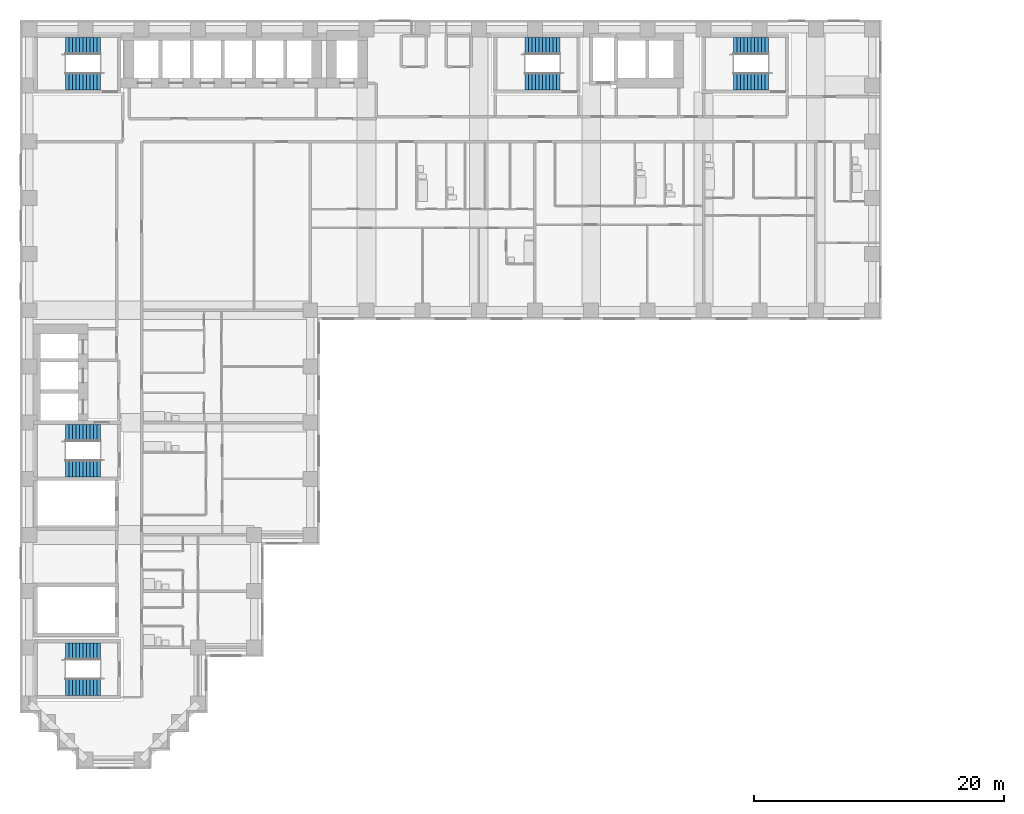
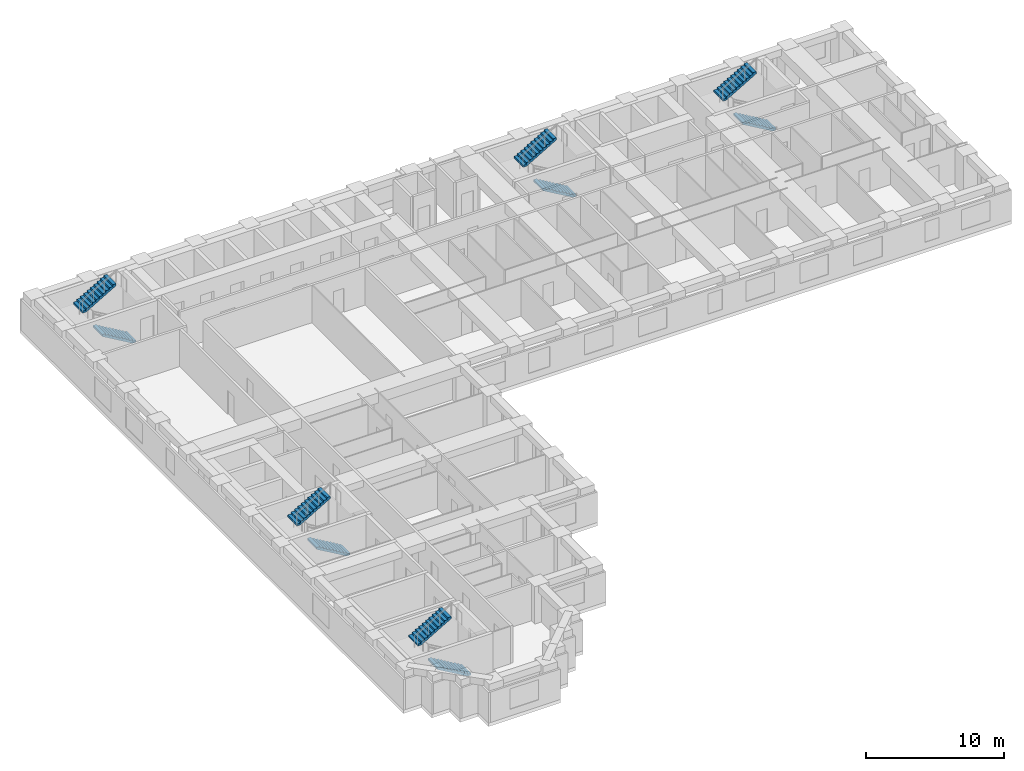
# One storey, part 10 of 12: 10 stair flights, 5 elements without a shape of their own.
"""IFC4 building model written with IfcOpenShell, lengths in metres."""

from ifc_helpers import new_model, si_unit, direction, frame, origin, place, context, subcontext, project, spatial, polyline, outline, extrude, material, type_object, element, aggregate, save


model = new_model("IFC4")

# Units and contexts
model_context = context("Model", 3, precision=1e-05, world=origin(), true_north=direction((0.0, 1.0)))
body_context = subcontext(model_context, "Body", "Model", "MODEL_VIEW")
ifc_project = project(units=[si_unit("LENGTHUNIT", "METRE"), si_unit("AREAUNIT", "SQUARE_METRE"), si_unit("VOLUMEUNIT", "CUBIC_METRE"), si_unit("PLANEANGLEUNIT", "RADIAN"), si_unit("MASSUNIT", "GRAM", prefix="KILO")], contexts=[model_context])

# Site, building, storey
site_placement = place(None, origin())
site = spatial("IfcSite", under=ifc_project, at=site_placement, CompositionType="ELEMENT")
building_placement = place(site_placement, origin())
building = spatial("IfcBuilding", under=site, at=building_placement, Name="Firuza Court", CompositionType="ELEMENT")
storey_placement = place(building_placement, frame((0.0, 0.0, 36.199951171875)))
storey = spatial("IfcBuildingStorey", under=building, at=storey_placement, Name="L07", CompositionType="ELEMENT", Elevation=36.199951171875)

# Stair, stair flights
ifc_material_1 = material(Name="Concrete C40/50 precast", Category="concrete")
stair_type = type_object("IfcStairType", Name="Stair 1350 x 3600 2 flights", PredefinedType="HALF_TURN_STAIR", material=ifc_material_1)
stair_1_placement = place(storey_placement, origin())
stair_1 = element("IfcStair", 1, at=stair_1_placement, inside=storey, type_object=stair_type, Name="Stair 1 L07", PredefinedType="HALF_TURN_STAIR")
ifc_material_2 = material(Name="Concrete C40/50 precast", Category="concrete")
stair_flight_type = type_object("IfcStairFlightType", Name="Flight 1350 riser 163.6", PredefinedType="STRAIGHT", material=ifc_material_2)
stair_flight_1_placement = place(storey_placement, frame((42.5, 54.324951171875, 0.0), z_axis=(0.0, 0.0, 1.0), x_axis=(-1.0, 0.0, 0.0)))
stair_flight_1 = element("IfcStairFlight", 2, at=stair_flight_1_placement, type_object=stair_flight_type, Name="S1 flight 1", NumberOfRisers=11, NumberOfTreads=10, PredefinedType="STRAIGHT", RiserHeight=0.163636364, TreadLength=0.28, context=body_context, shape_type="SweptSolid", body=[
    extrude(outline(polyline([(0.0, 0.0), (0.0, 0.16357421875), (0.280029296875, 0.16357421875), (0.280029296875, 0.327392578125), (0.56005859375, 0.327392578125), (0.56005859375, 0.490966796875), (0.840087890625, 0.490966796875), (0.840087890625, 0.654541015625), (1.1201171875, 0.654541015625), (1.1201171875, 0.818115234375), (1.39990234375, 0.818115234375), (1.39990234375, 0.98193359375), (1.679931640625, 0.98193359375), (1.679931640625, 1.1455078125), (1.9599609375, 1.1455078125), (1.9599609375, 1.30908203125), (2.239990234375, 1.30908203125), (2.239990234375, 1.47265625), (2.52001953125, 1.47265625), (2.52001953125, 1.636474609375), (2.800048828125, 1.636474609375), (2.800048828125, 1.800048828125), (2.800048828125, 1.462646484375), (0.297119140625, 0.0), (0.0, 0.0)])), frame((0.0, 0.675048828125, 0.0), z_axis=(0.0, -1.0, 0.0), x_axis=(1.0, 0.0, 0.0)), (0.0, 0.0, 1.0), 1.35009765625),
])
stair_flight_2_placement = place(storey_placement, frame((39.699951171875, 57.175048828125, 1.800048828125), z_axis=(0.0, 0.0, 1.0), x_axis=(1.0, 0.0, 0.0)))
stair_flight_2 = element("IfcStairFlight", 3, at=stair_flight_2_placement, type_object=stair_flight_type, Name="S1 flight 2", NumberOfRisers=11, NumberOfTreads=10, PredefinedType="STRAIGHT", RiserHeight=0.163636364, TreadLength=0.28, context=body_context, shape_type="SweptSolid", body=[
    extrude(outline(polyline([(0.0, 0.0), (0.0, 0.16357421875), (0.280029296875, 0.16357421875), (0.280029296875, 0.327392578125), (0.56005859375, 0.327392578125), (0.56005859375, 0.490966796875), (0.840087890625, 0.490966796875), (0.840087890625, 0.654541015625), (1.1201171875, 0.654541015625), (1.1201171875, 0.818115234375), (1.39990234375, 0.818115234375), (1.39990234375, 0.98193359375), (1.679931640625, 0.98193359375), (1.679931640625, 1.1455078125), (1.9599609375, 1.1455078125), (1.9599609375, 1.30908203125), (2.239990234375, 1.30908203125), (2.239990234375, 1.47265625), (2.52001953125, 1.47265625), (2.52001953125, 1.636474609375), (2.800048828125, 1.636474609375), (2.800048828125, 1.800048828125), (2.800048828125, 1.462646484375), (0.297119140625, 0.0), (0.0, 0.0)])), frame((0.0, 0.675048828125, 0.0), z_axis=(0.0, -1.0, 0.0), x_axis=(1.0, 0.0, 0.0)), (0.0, 0.0, 1.0), 1.35009765625),
])
aggregate(stair_1, [stair_flight_1, stair_flight_2])

stair_2_placement = place(storey_placement, origin())
stair_2 = element("IfcStair", 4, at=stair_2_placement, inside=storey, type_object=stair_type, Name="Stair 2 L07", PredefinedType="HALF_TURN_STAIR")
stair_flight_3_placement = place(storey_placement, frame((5.699951171875, 23.324951171875, 0.0), z_axis=(0.0, 0.0, 1.0), x_axis=(-1.0, 0.0, 0.0)))
stair_flight_3 = element("IfcStairFlight", 5, at=stair_flight_3_placement, type_object=stair_flight_type, Name="S2 flight 1", NumberOfRisers=11, NumberOfTreads=10, PredefinedType="STRAIGHT", RiserHeight=0.163636364, TreadLength=0.28, context=body_context, shape_type="SweptSolid", body=[
    extrude(outline(polyline([(0.0, 0.0), (0.0, 0.16357421875), (0.280029296875, 0.16357421875), (0.280029296875, 0.327392578125), (0.56005859375, 0.327392578125), (0.56005859375, 0.490966796875), (0.840087890625, 0.490966796875), (0.840087890625, 0.654541015625), (1.1201171875, 0.654541015625), (1.1201171875, 0.818115234375), (1.39990234375, 0.818115234375), (1.39990234375, 0.98193359375), (1.679931640625, 0.98193359375), (1.679931640625, 1.1455078125), (1.9599609375, 1.1455078125), (1.9599609375, 1.30908203125), (2.239990234375, 1.30908203125), (2.239990234375, 1.47265625), (2.52001953125, 1.47265625), (2.52001953125, 1.636474609375), (2.800048828125, 1.636474609375), (2.800048828125, 1.800048828125), (2.800048828125, 1.462646484375), (0.297119140625, 0.0), (0.0, 0.0)])), frame((0.0, 0.675048828125, 0.0), z_axis=(0.0, -1.0, 0.0), x_axis=(1.0, 0.0, 0.0)), (0.0, 0.0, 1.0), 1.35009765625),
])
stair_flight_4_placement = place(storey_placement, frame((2.89990234375, 26.175048828125, 1.800048828125), z_axis=(0.0, 0.0, 1.0), x_axis=(1.0, 0.0, 0.0)))
stair_flight_4 = element("IfcStairFlight", 6, at=stair_flight_4_placement, type_object=stair_flight_type, Name="S2 flight 2", NumberOfRisers=11, NumberOfTreads=10, PredefinedType="STRAIGHT", RiserHeight=0.163636364, TreadLength=0.28, context=body_context, shape_type="SweptSolid", body=[
    extrude(outline(polyline([(0.0, 0.0), (0.0, 0.16357421875), (0.280029296875, 0.16357421875), (0.280029296875, 0.327392578125), (0.56005859375, 0.327392578125), (0.56005859375, 0.490966796875), (0.840087890625, 0.490966796875), (0.840087890625, 0.654541015625), (1.1201171875, 0.654541015625), (1.1201171875, 0.818115234375), (1.39990234375, 0.818115234375), (1.39990234375, 0.98193359375), (1.679931640625, 0.98193359375), (1.679931640625, 1.1455078125), (1.9599609375, 1.1455078125), (1.9599609375, 1.30908203125), (2.239990234375, 1.30908203125), (2.239990234375, 1.47265625), (2.52001953125, 1.47265625), (2.52001953125, 1.636474609375), (2.800048828125, 1.636474609375), (2.800048828125, 1.800048828125), (2.800048828125, 1.462646484375), (0.297119140625, 0.0), (0.0, 0.0)])), frame((0.0, 0.675048828125, 0.0), z_axis=(0.0, -1.0, 0.0), x_axis=(1.0, 0.0, 0.0)), (0.0, 0.0, 1.0), 1.35009765625),
])
aggregate(stair_2, [stair_flight_3, stair_flight_4])

stair_3_placement = place(storey_placement, origin())
stair_3 = element("IfcStair", 7, at=stair_3_placement, inside=storey, type_object=stair_type, Name="Stair 3 L07", PredefinedType="HALF_TURN_STAIR")
stair_flight_5_placement = place(storey_placement, frame((5.699951171875, 54.324951171875, 0.0), z_axis=(0.0, 0.0, 1.0), x_axis=(-1.0, 0.0, 0.0)))
stair_flight_5 = element("IfcStairFlight", 8, at=stair_flight_5_placement, type_object=stair_flight_type, Name="S3 flight 1", NumberOfRisers=11, NumberOfTreads=10, PredefinedType="STRAIGHT", RiserHeight=0.163636364, TreadLength=0.28, context=body_context, shape_type="SweptSolid", body=[
    extrude(outline(polyline([(0.0, 0.0), (0.0, 0.16357421875), (0.280029296875, 0.16357421875), (0.280029296875, 0.327392578125), (0.56005859375, 0.327392578125), (0.56005859375, 0.490966796875), (0.840087890625, 0.490966796875), (0.840087890625, 0.654541015625), (1.1201171875, 0.654541015625), (1.1201171875, 0.818115234375), (1.39990234375, 0.818115234375), (1.39990234375, 0.98193359375), (1.679931640625, 0.98193359375), (1.679931640625, 1.1455078125), (1.9599609375, 1.1455078125), (1.9599609375, 1.30908203125), (2.239990234375, 1.30908203125), (2.239990234375, 1.47265625), (2.52001953125, 1.47265625), (2.52001953125, 1.636474609375), (2.800048828125, 1.636474609375), (2.800048828125, 1.800048828125), (2.800048828125, 1.462646484375), (0.297119140625, 0.0), (0.0, 0.0)])), frame((0.0, 0.675048828125, 0.0), z_axis=(0.0, -1.0, 0.0), x_axis=(1.0, 0.0, 0.0)), (0.0, 0.0, 1.0), 1.35009765625),
])
stair_flight_6_placement = place(storey_placement, frame((2.89990234375, 57.175048828125, 1.800048828125), z_axis=(0.0, 0.0, 1.0), x_axis=(1.0, 0.0, 0.0)))
stair_flight_6 = element("IfcStairFlight", 9, at=stair_flight_6_placement, type_object=stair_flight_type, Name="S3 flight 2", NumberOfRisers=11, NumberOfTreads=10, PredefinedType="STRAIGHT", RiserHeight=0.163636364, TreadLength=0.28, context=body_context, shape_type="SweptSolid", body=[
    extrude(outline(polyline([(0.0, 0.0), (0.0, 0.16357421875), (0.280029296875, 0.16357421875), (0.280029296875, 0.327392578125), (0.56005859375, 0.327392578125), (0.56005859375, 0.490966796875), (0.840087890625, 0.490966796875), (0.840087890625, 0.654541015625), (1.1201171875, 0.654541015625), (1.1201171875, 0.818115234375), (1.39990234375, 0.818115234375), (1.39990234375, 0.98193359375), (1.679931640625, 0.98193359375), (1.679931640625, 1.1455078125), (1.9599609375, 1.1455078125), (1.9599609375, 1.30908203125), (2.239990234375, 1.30908203125), (2.239990234375, 1.47265625), (2.52001953125, 1.47265625), (2.52001953125, 1.636474609375), (2.800048828125, 1.636474609375), (2.800048828125, 1.800048828125), (2.800048828125, 1.462646484375), (0.297119140625, 0.0), (0.0, 0.0)])), frame((0.0, 0.675048828125, 0.0), z_axis=(0.0, -1.0, 0.0), x_axis=(1.0, 0.0, 0.0)), (0.0, 0.0, 1.0), 1.35009765625),
])
aggregate(stair_3, [stair_flight_5, stair_flight_6])

stair_4_placement = place(storey_placement, origin())
stair_4 = element("IfcStair", 10, at=stair_4_placement, inside=storey, type_object=stair_type, Name="Stair 4 L07", PredefinedType="HALF_TURN_STAIR")
stair_flight_7_placement = place(storey_placement, frame((59.199951171875, 54.324951171875, 0.0), z_axis=(0.0, 0.0, 1.0), x_axis=(-1.0, 0.0, 0.0)))
stair_flight_7 = element("IfcStairFlight", 11, at=stair_flight_7_placement, type_object=stair_flight_type, Name="S4 flight 1", NumberOfRisers=11, NumberOfTreads=10, PredefinedType="STRAIGHT", RiserHeight=0.163636364, TreadLength=0.28, context=body_context, shape_type="SweptSolid", body=[
    extrude(outline(polyline([(0.0, 0.0), (0.0, 0.16357421875), (0.280029296875, 0.16357421875), (0.280029296875, 0.327392578125), (0.56005859375, 0.327392578125), (0.56005859375, 0.490966796875), (0.840087890625, 0.490966796875), (0.840087890625, 0.654541015625), (1.1201171875, 0.654541015625), (1.1201171875, 0.818115234375), (1.39990234375, 0.818115234375), (1.39990234375, 0.98193359375), (1.679931640625, 0.98193359375), (1.679931640625, 1.1455078125), (1.9599609375, 1.1455078125), (1.9599609375, 1.30908203125), (2.239990234375, 1.30908203125), (2.239990234375, 1.47265625), (2.52001953125, 1.47265625), (2.52001953125, 1.636474609375), (2.800048828125, 1.636474609375), (2.800048828125, 1.800048828125), (2.800048828125, 1.462646484375), (0.297119140625, 0.0), (0.0, 0.0)])), frame((0.0, 0.675048828125, 0.0), z_axis=(0.0, -1.0, 0.0), x_axis=(1.0, 0.0, 0.0)), (0.0, 0.0, 1.0), 1.35009765625),
])
stair_flight_8_placement = place(storey_placement, frame((56.39990234375, 57.175048828125, 1.800048828125), z_axis=(0.0, 0.0, 1.0), x_axis=(1.0, 0.0, 0.0)))
stair_flight_8 = element("IfcStairFlight", 12, at=stair_flight_8_placement, type_object=stair_flight_type, Name="S4 flight 2", NumberOfRisers=11, NumberOfTreads=10, PredefinedType="STRAIGHT", RiserHeight=0.163636364, TreadLength=0.28, context=body_context, shape_type="SweptSolid", body=[
    extrude(outline(polyline([(0.0, 0.0), (0.0, 0.16357421875), (0.280029296875, 0.16357421875), (0.280029296875, 0.327392578125), (0.56005859375, 0.327392578125), (0.56005859375, 0.490966796875), (0.840087890625, 0.490966796875), (0.840087890625, 0.654541015625), (1.1201171875, 0.654541015625), (1.1201171875, 0.818115234375), (1.39990234375, 0.818115234375), (1.39990234375, 0.98193359375), (1.679931640625, 0.98193359375), (1.679931640625, 1.1455078125), (1.9599609375, 1.1455078125), (1.9599609375, 1.30908203125), (2.239990234375, 1.30908203125), (2.239990234375, 1.47265625), (2.52001953125, 1.47265625), (2.52001953125, 1.636474609375), (2.800048828125, 1.636474609375), (2.800048828125, 1.800048828125), (2.800048828125, 1.462646484375), (0.297119140625, 0.0), (0.0, 0.0)])), frame((0.0, 0.675048828125, 0.0), z_axis=(0.0, -1.0, 0.0), x_axis=(1.0, 0.0, 0.0)), (0.0, 0.0, 1.0), 1.35009765625),
])
aggregate(stair_4, [stair_flight_7, stair_flight_8])

stair_5_placement = place(storey_placement, origin())
stair_5 = element("IfcStair", 13, at=stair_5_placement, inside=storey, type_object=stair_type, Name="Stair 5 L07", PredefinedType="HALF_TURN_STAIR")
stair_flight_9_placement = place(storey_placement, frame((5.699951171875, 5.824951171875, 0.0), z_axis=(0.0, 0.0, 1.0), x_axis=(-1.0, 0.0, 0.0)))
stair_flight_9 = element("IfcStairFlight", 14, at=stair_flight_9_placement, type_object=stair_flight_type, Name="S5 flight 1", NumberOfRisers=11, NumberOfTreads=10, PredefinedType="STRAIGHT", RiserHeight=0.163636364, TreadLength=0.28, context=body_context, shape_type="SweptSolid", body=[
    extrude(outline(polyline([(0.0, 0.0), (0.0, 0.16357421875), (0.280029296875, 0.16357421875), (0.280029296875, 0.327392578125), (0.56005859375, 0.327392578125), (0.56005859375, 0.490966796875), (0.840087890625, 0.490966796875), (0.840087890625, 0.654541015625), (1.1201171875, 0.654541015625), (1.1201171875, 0.818115234375), (1.39990234375, 0.818115234375), (1.39990234375, 0.98193359375), (1.679931640625, 0.98193359375), (1.679931640625, 1.1455078125), (1.9599609375, 1.1455078125), (1.9599609375, 1.30908203125), (2.239990234375, 1.30908203125), (2.239990234375, 1.47265625), (2.52001953125, 1.47265625), (2.52001953125, 1.636474609375), (2.800048828125, 1.636474609375), (2.800048828125, 1.800048828125), (2.800048828125, 1.462646484375), (0.297119140625, 0.0), (0.0, 0.0)])), frame((0.0, 0.675048828125, 0.0), z_axis=(0.0, -1.0, 0.0), x_axis=(1.0, 0.0, 0.0)), (0.0, 0.0, 1.0), 1.35009765625),
])
stair_flight_10_placement = place(storey_placement, frame((2.89990234375, 8.675048828125, 1.800048828125), z_axis=(0.0, 0.0, 1.0), x_axis=(1.0, 0.0, 0.0)))
stair_flight_10 = element("IfcStairFlight", 15, at=stair_flight_10_placement, type_object=stair_flight_type, Name="S5 flight 2", NumberOfRisers=11, NumberOfTreads=10, PredefinedType="STRAIGHT", RiserHeight=0.163636364, TreadLength=0.28, context=body_context, shape_type="SweptSolid", body=[
    extrude(outline(polyline([(0.0, 0.0), (0.0, 0.16357421875), (0.280029296875, 0.16357421875), (0.280029296875, 0.327392578125), (0.56005859375, 0.327392578125), (0.56005859375, 0.490966796875), (0.840087890625, 0.490966796875), (0.840087890625, 0.654541015625), (1.1201171875, 0.654541015625), (1.1201171875, 0.818115234375), (1.39990234375, 0.818115234375), (1.39990234375, 0.98193359375), (1.679931640625, 0.98193359375), (1.679931640625, 1.1455078125), (1.9599609375, 1.1455078125), (1.9599609375, 1.30908203125), (2.239990234375, 1.30908203125), (2.239990234375, 1.47265625), (2.52001953125, 1.47265625), (2.52001953125, 1.636474609375), (2.800048828125, 1.636474609375), (2.800048828125, 1.800048828125), (2.800048828125, 1.462646484375), (0.297119140625, 0.0), (0.0, 0.0)])), frame((0.0, 0.675048828125, 0.0), z_axis=(0.0, -1.0, 0.0), x_axis=(1.0, 0.0, 0.0)), (0.0, 0.0, 1.0), 1.35009765625),
])
aggregate(stair_5, [stair_flight_9, stair_flight_10])

save(model, "model.ifc")
